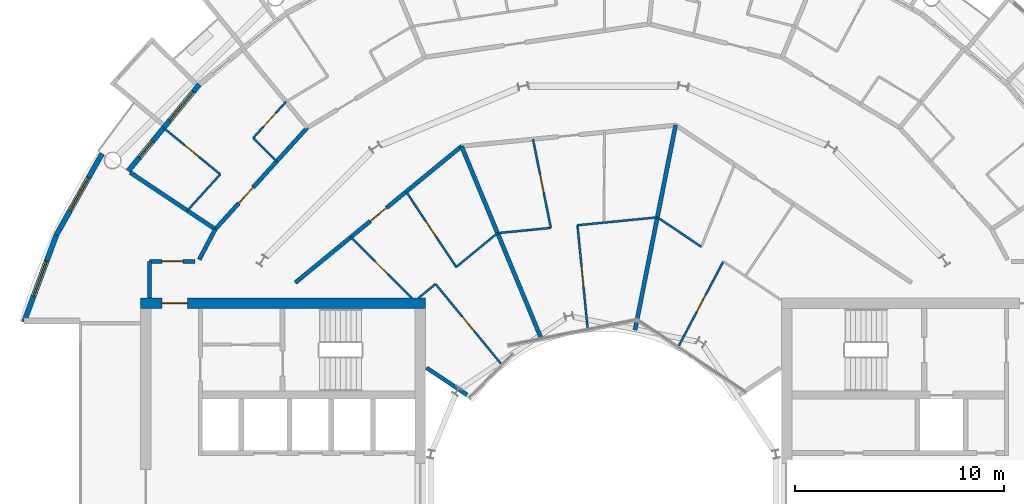
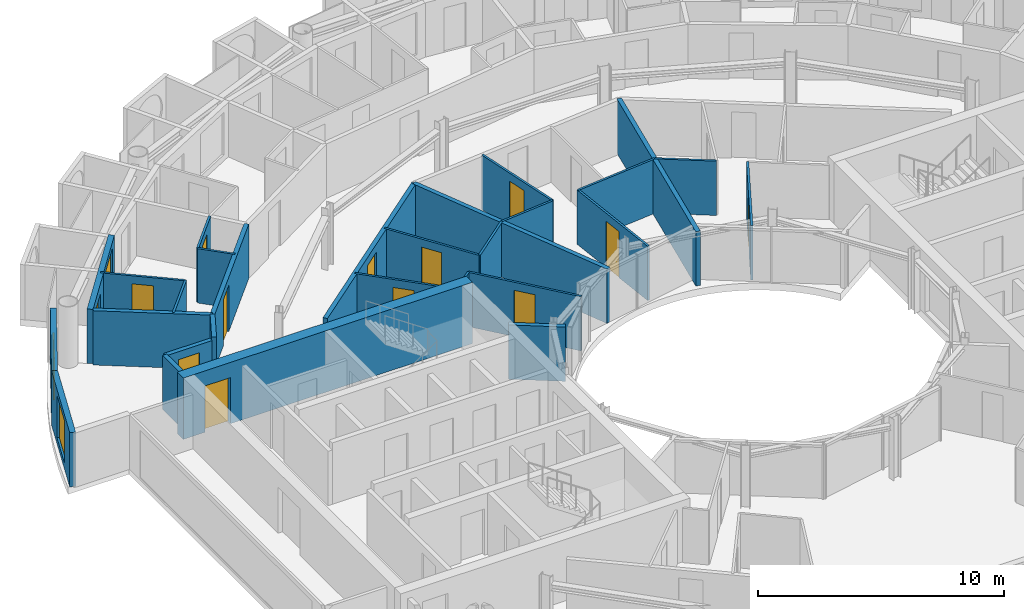
# One storey, part 19 of 27: 28 walls, 13 doors, 3 windows, 16 openings.
"""IFC4 building model written with IfcOpenShell, lengths in metres."""

from ifc_helpers import new_model, si_unit, direction, frame, frame_2d, origin, place, context, subcontext, project, spatial, rectangle, extrude, material, layer, layer_set, type_object, element, fill, save


model = new_model("IFC4")

# Units and contexts
model_context = context("Model", 3, precision=1e-05, world=origin(), true_north=direction((0.0, 1.0)))
body_context = subcontext(model_context, "Body", "Model", "MODEL_VIEW")
ifc_project = project(units=[si_unit("LENGTHUNIT", "METRE"), si_unit("AREAUNIT", "SQUARE_METRE"), si_unit("VOLUMEUNIT", "CUBIC_METRE"), si_unit("PLANEANGLEUNIT", "RADIAN"), si_unit("MASSUNIT", "GRAM", prefix="KILO")], contexts=[model_context])

# Site, building, storey
site_placement = place(None, origin())
site = spatial("IfcSite", under=ifc_project, at=site_placement, CompositionType="ELEMENT")
building_placement = place(site_placement, origin())
building = spatial("IfcBuilding", under=site, at=building_placement, Name="Maasbend Ring Residences", CompositionType="ELEMENT")
storey_placement = place(building_placement, frame((0.0, 0.0, 148.25)))
storey = spatial("IfcBuildingStorey", under=building, at=storey_placement, Name="L42", CompositionType="ELEMENT", Elevation=148.25)

# Wall, opening, door
ifc_material_1 = material(Name="Concrete C60/75", Category="concrete")
ifc_layer_1 = layer(ifc_material_1, 0.5)
ifc_layer_set_1 = layer_set([ifc_layer_1], Name="Concrete C60/75")
wall_type_1 = type_object("IfcWallType", Name="CORE WALL 500 C60/75", PredefinedType="SHEAR", material=ifc_layer_set_1)
wall_1_placement = place(storey_placement, frame((-8.5, 8.85009765625, 0.0), z_axis=(0.0, 0.0, 1.0), x_axis=(-1.0, 0.0, 0.0)))
wall_1 = element("IfcWall", 1, at=wall_1_placement, inside=storey, type_object=wall_type_1, Name="L42 core W wall PS", PredefinedType="SHEAR", context=body_context, shape_type="SweptSolid", body=[
    extrude(rectangle(XDim=13.60009765625, YDim=0.5, at=frame_2d((6.800048828125, 0.0))), origin(), (0.0, 0.0, 1.0), 3.050048828125),
])
opening_1_placement = place(wall_1_placement, frame((11.375, 0.0, 0.0)))
opening_1 = element("IfcOpeningElement", 2, at=opening_1_placement, cuts=wall_1, Name="Opening D-W4216", PredefinedType="OPENING", context=body_context, shape_type="SweptSolid", body=[
    extrude(rectangle(XDim=1.199951171875, YDim=2.300048828125, at=frame_2d((0.60009765625, 1.14990234375))), frame((0.0, 0.260009765625, 0.0), z_axis=(0.0, -1.0, 0.0), x_axis=(1.0, 0.0, 0.0)), (0.0, 0.0, 1.0), 0.52001953125),
])
ifc_material_2 = material(Name="Steel, powder coated", Category="steel")
door_type_1 = type_object("IfcDoorType", Name="CORRIDOR DOOR 1200 X 2300 FD30S", OperationType="NOTDEFINED", PredefinedType="DOOR", material=ifc_material_2)
door_1_placement = place(opening_1_placement, origin())
door_1 = element("IfcDoor", 3, at=door_1_placement, inside=storey, type_object=door_type_1, Name="Corridor door L42", OperationType="SINGLE_SWING_LEFT", OverallHeight=2.300048828125, OverallWidth=1.199951171875, PredefinedType="DOOR", context=body_context, shape_type="SweptSolid", body=[
    extrude(rectangle(XDim=1.199951171875, YDim=2.300048828125, at=frame_2d((0.60009765625, 1.14990234375))), frame((0.0, 0.02490234375, 0.0), z_axis=(0.0, -1.0, 0.0), x_axis=(1.0, 0.0, 0.0)), (0.0, 0.0, 1.0), 0.050048828125),
])
fill(opening_1, door_1)

ifc_material_3 = material(Name="Concrete C30/37", Category="concrete")
ifc_layer_2 = layer(ifc_material_3, 0.199951171875)
ifc_layer_set_2 = layer_set([ifc_layer_2], Name="Concrete C30/37")
wall_type_2 = type_object("IfcWallType", Name="CORRIDOR WALL 200 CONCRETE", PredefinedType="PARTITIONING", material=ifc_layer_set_2)
wall_2_placement = place(storey_placement, frame((-21.675048828125, 10.85009765625, 0.0), z_axis=(0.0, 0.0, 1.0), x_axis=(1.0, 0.0, 0.0)))
wall_2 = element("IfcWall", 4, at=wall_2_placement, inside=storey, type_object=wall_type_2, Name="U-L42-w086", PredefinedType="PARTITIONING", context=body_context, shape_type="SweptSolid", body=[
    extrude(rectangle(XDim=2.171142578125, YDim=0.199951171875, at=frame_2d((1.08544921875, 0.0))), origin(), (0.0, 0.0, 1.0), 2.699951171875),
])
opening_2_placement = place(wall_2_placement, frame((0.5849609375, 0.0, 0.0)))
opening_2 = element("IfcOpeningElement", 5, at=opening_2_placement, cuts=wall_2, Name="Opening D-4260", PredefinedType="OPENING", context=body_context, shape_type="SweptSolid", body=[
    extrude(rectangle(XDim=1.0, YDim=2.300048828125, at=frame_2d((0.5, 1.14990234375))), frame((0.0, 0.10986328125, 0.0), z_axis=(0.0, -1.0, 0.0), x_axis=(1.0, 0.0, 0.0)), (0.0, 0.0, 1.0), 0.219970703125),
])
ifc_material_4 = material(Name="Timber, painted", Category="wood")
door_type_2 = type_object("IfcDoorType", Name="ROOM DOOR 1000 X 2300", OperationType="NOTDEFINED", PredefinedType="DOOR", material=ifc_material_4)
door_2_placement = place(opening_2_placement, origin())
door_2 = element("IfcDoor", 6, at=door_2_placement, inside=storey, type_object=door_type_2, Name="D-4260", OperationType="SINGLE_SWING_LEFT", OverallHeight=2.300048828125, OverallWidth=1.0, PredefinedType="DOOR", context=body_context, shape_type="SweptSolid", body=[
    extrude(rectangle(XDim=1.0, YDim=2.300048828125, at=frame_2d((0.5, 1.14990234375))), frame((0.0, 0.02490234375, 0.0), z_axis=(0.0, -1.0, 0.0), x_axis=(1.0, 0.0, 0.0)), (0.0, 0.0, 1.0), 0.050048828125),
])
fill(opening_2, door_2)

wall_3_placement = place(storey_placement, frame((-14.717041015625, 9.833984375, 0.0), z_axis=(0.0, 0.0, 1.0), x_axis=(0.773034536097, 0.634363938131, 0.0)))
wall_3 = element("IfcWall", 7, at=wall_3_placement, inside=storey, type_object=wall_type_2, Name="U-L42-w095", PredefinedType="PARTITIONING", context=body_context, shape_type="SweptSolid", body=[
    extrude(rectangle(XDim=10.276611328125, YDim=0.199951171875, at=frame_2d((5.13818359375, 0.0))), origin(), (0.0, 0.0, 1.0), 2.699951171875),
])
opening_3_placement = place(wall_3_placement, frame((4.637939453125, 0.0, 0.0)))
opening_3 = element("IfcOpeningElement", 8, at=opening_3_placement, cuts=wall_3, Name="Opening D-4229", PredefinedType="OPENING", context=body_context, shape_type="SweptSolid", body=[
    extrude(rectangle(XDim=1.0, YDim=2.300048828125, at=frame_2d((0.5, 1.14990234375))), frame((0.0, 0.10986328125, 0.0), z_axis=(0.0, -1.0, 0.0), x_axis=(1.0, 0.0, 0.0)), (0.0, 0.0, 1.0), 0.219970703125),
])
ifc_material_5 = material(Name="Timber, fire-rated, painted", Category="wood")
door_type_3 = type_object("IfcDoorType", Name="FLAT ENTRANCE DOOR 1000 X 2300 FIRE-RATED", OperationType="NOTDEFINED", PredefinedType="DOOR", material=ifc_material_5)
door_3_placement = place(opening_3_placement, origin())
door_3 = element("IfcDoor", 9, at=door_3_placement, inside=storey, type_object=door_type_3, Name="D-4229", OperationType="SINGLE_SWING_LEFT", OverallHeight=2.300048828125, OverallWidth=1.0, PredefinedType="DOOR", context=body_context, shape_type="SweptSolid", body=[
    extrude(rectangle(XDim=1.0, YDim=2.300048828125, at=frame_2d((0.5, 1.14990234375))), frame((0.0, 0.02490234375, 0.0), z_axis=(0.0, -1.0, 0.0), x_axis=(1.0, 0.0, 0.0)), (0.0, 0.0, 1.0), 0.050048828125),
])
fill(opening_3, door_3)

# Wall
wall_4_placement = place(storey_placement, frame((-21.675048828125, 9.10009765625, 0.0), z_axis=(0.0, 0.0, 1.0), x_axis=(0.0, 1.0, 0.0)))
element("IfcWall", 10, at=wall_4_placement, inside=storey, type_object=wall_type_2, Name="U-L42-w099", PredefinedType="PARTITIONING", context=body_context, shape_type="SweptSolid", body=[
    extrude(rectangle(XDim=1.75, YDim=0.199951171875, at=frame_2d((0.875, 0.0))), origin(), (0.0, 0.0, 1.0), 2.699951171875),
])

# Wall, opening, door
wall_5_placement = place(storey_placement, frame((-18.5419921875, 12.388916015625, 0.0), z_axis=(0.0, 0.0, 1.0), x_axis=(0.671561669125, 0.740948665268, 0.0)))
wall_5 = element("IfcWall", 11, at=wall_5_placement, inside=storey, type_object=wall_type_2, Name="U-L42-w100", PredefinedType="PARTITIONING", context=body_context, shape_type="SweptSolid", body=[
    extrude(rectangle(XDim=6.54443359375, YDim=0.199951171875, at=frame_2d((3.272216796875, 0.0))), origin(), (0.0, 0.0, 1.0), 2.699951171875),
])
opening_4_placement = place(wall_5_placement, frame((1.681884765625, 0.0, 0.0)))
opening_4 = element("IfcOpeningElement", 12, at=opening_4_placement, cuts=wall_5, Name="Opening D-4218", PredefinedType="OPENING", context=body_context, shape_type="SweptSolid", body=[
    extrude(rectangle(XDim=1.0, YDim=2.300048828125, at=frame_2d((0.5, 1.14990234375))), frame((0.0, 0.10986328125, 0.0), z_axis=(0.0, -1.0, 0.0), x_axis=(1.0, 0.0, 0.0)), (0.0, 0.0, 1.0), 0.219970703125),
])
door_4_placement = place(opening_4_placement, origin())
door_4 = element("IfcDoor", 13, at=door_4_placement, inside=storey, type_object=door_type_3, Name="D-4218", OperationType="SINGLE_SWING_LEFT", OverallHeight=2.300048828125, OverallWidth=1.0, PredefinedType="DOOR", context=body_context, shape_type="SweptSolid", body=[
    extrude(rectangle(XDim=1.0, YDim=2.300048828125, at=frame_2d((0.5, 1.14990234375))), frame((0.0, 0.02490234375, 0.0), z_axis=(0.0, -1.0, 0.0), x_axis=(1.0, 0.0, 0.0)), (0.0, 0.0, 1.0), 0.050048828125),
])
fill(opening_4, door_4)

# Wall
wall_6_placement = place(storey_placement, frame((-19.306884765625, 10.93505859375, 0.0), z_axis=(0.0, 0.0, 1.0), x_axis=(0.465605550524, 0.884992356646, 0.0)))
element("IfcWall", 14, at=wall_6_placement, inside=storey, type_object=wall_type_2, Name="U-L42-w105", PredefinedType="PARTITIONING", context=body_context, shape_type="SweptSolid", body=[
    extrude(rectangle(XDim=1.642822265625, YDim=0.199951171875, at=frame_2d((0.8212890625, 0.0))), origin(), (0.0, 0.0, 1.0), 2.699951171875),
])

# Wall, openings, door, window
ifc_material_6 = material(Name="Aluminium clad insulated panel", Category="aluminium")
ifc_layer_3 = layer(ifc_material_6, 0.25)
ifc_layer_set_3 = layer_set([ifc_layer_3], Name="EW-GL")
wall_type_3 = type_object("IfcWallType", Name="EW-GL", PredefinedType="SOLIDWALL", material=ifc_layer_set_3)
wall_7_placement = place(storey_placement, frame((-19.303955078125, 19.303955078125, 0.0), z_axis=(0.0, 0.0, 1.0), x_axis=(-0.634382322723, -0.773019449054, 0.0)))
wall_7 = element("IfcWall", 15, at=wall_7_placement, inside=storey, type_object=wall_type_3, Name="External wall N10", PredefinedType="SOLIDWALL", context=body_context, shape_type="SweptSolid", body=[
    extrude(rectangle(XDim=5.351806640625, YDim=0.25, at=frame_2d((2.67578125, 0.0))), origin(), (0.0, 0.0, 1.0), 2.699951171875),
])
opening_5_placement = place(wall_7_placement, frame((0.441162109375, 0.0, 0.300048828125)))
opening_5 = element("IfcOpeningElement", 16, at=opening_5_placement, cuts=wall_7, Name="Opening W-BX", PredefinedType="OPENING", context=body_context, shape_type="SweptSolid", body=[
    extrude(rectangle(XDim=1.800048828125, YDim=2.10009765625, at=frame_2d((0.89990234375, 1.050048828125))), frame((0.0, 0.135009765625, 0.0), z_axis=(0.0, -1.0, 0.0), x_axis=(1.0, 0.0, 0.0)), (0.0, 0.0, 1.0), 0.27001953125),
])
opening_6_placement = place(wall_7_placement, frame((3.510498046875, 0.0, 0.0)))
opening_6 = element("IfcOpeningElement", 17, at=opening_6_placement, cuts=wall_7, Name="Opening D-LG", PredefinedType="OPENING", context=body_context, shape_type="SweptSolid", body=[
    extrude(rectangle(XDim=1.0, YDim=2.199951171875, at=frame_2d((0.5, 1.10009765625))), frame((0.0, 0.135009765625, 0.0), z_axis=(0.0, -1.0, 0.0), x_axis=(1.0, 0.0, 0.0)), (0.0, 0.0, 1.0), 0.27001953125),
])
ifc_material_7 = material(Name="Aluminium and clear glass", Category="aluminium")
door_type_4 = type_object("IfcDoorType", Name="D-LG", OperationType="SINGLE_SWING_LEFT", PredefinedType="DOOR", material=ifc_material_7)
door_5_placement = place(opening_6_placement, origin())
door_5 = element("IfcDoor", 18, at=door_5_placement, inside=storey, type_object=door_type_4, Name="Loggia door N20", OperationType="SINGLE_SWING_LEFT", OverallHeight=2.199951171875, OverallWidth=1.0, PredefinedType="DOOR", context=body_context, shape_type="SweptSolid", body=[
    extrude(rectangle(XDim=1.0, YDim=2.199951171875, at=frame_2d((0.5, 1.10009765625))), frame((0.0, 0.02490234375, 0.0), z_axis=(0.0, -1.0, 0.0), x_axis=(1.0, 0.0, 0.0)), (0.0, 0.0, 1.0), 0.050048828125),
])
fill(opening_6, door_5)
ifc_material_8 = material(Name="Aluminium and clear glass", Category="aluminium")
window_type = type_object("IfcWindowType", Name="W-BX", PartitioningType="DOUBLE_PANEL_VERTICAL", PredefinedType="WINDOW", material=ifc_material_8)
window_1_placement = place(opening_5_placement, origin())
window_1 = element("IfcWindow", 19, at=window_1_placement, inside=storey, type_object=window_type, Name="Window N19 room to box", OverallHeight=2.10009765625, OverallWidth=1.800048828125, PartitioningType="SINGLE_PANEL", PredefinedType="WINDOW", context=body_context, shape_type="SweptSolid", body=[
    extrude(rectangle(XDim=1.800048828125, YDim=2.10009765625, at=frame_2d((0.89990234375, 1.050048828125))), frame((0.0, 0.030029296875, 0.0), z_axis=(0.0, -1.0, 0.0), x_axis=(1.0, 0.0, 0.0)), (0.0, 0.0, 1.0), 0.06005859375),
])
fill(opening_5, window_1)

# Wall, opening, window
ifc_material_9 = material(Name="Aluminium clad insulated panel", Category="aluminium")
ifc_layer_4 = layer(ifc_material_9, 0.25)
ifc_layer_set_4 = layer_set([ifc_layer_4], Name="EW-HORN")
wall_type_4 = type_object("IfcWallType", Name="EW-HORN", PredefinedType="SOLIDWALL", material=ifc_layer_set_4)
wall_8_placement = place(storey_placement, frame((-23.946044921875, 16.0, 0.0), z_axis=(0.0, 0.0, 1.0), x_axis=(-0.489696356642, -0.871893042919, 0.0)))
wall_8 = element("IfcWall", 20, at=wall_8_placement, inside=storey, type_object=wall_type_4, Name="Horn wall 4.1", PredefinedType="SOLIDWALL", context=body_context, shape_type="SweptSolid", body=[
    extrude(rectangle(XDim=4.45361328125, YDim=0.25, at=frame_2d((2.226806640625, 0.0))), origin(), (0.0, 0.0, 1.0), 2.699951171875),
])
opening_7_placement = place(wall_8_placement, frame((1.32666015625, 0.0, 0.300048828125)))
opening_7 = element("IfcOpeningElement", 21, at=opening_7_placement, cuts=wall_8, Name="Opening W-BX", PredefinedType="OPENING", context=body_context, shape_type="SweptSolid", body=[
    extrude(rectangle(XDim=1.800048828125, YDim=2.10009765625, at=frame_2d((0.89990234375, 1.050048828125))), frame((0.0, 0.135009765625, 0.0), z_axis=(0.0, -1.0, 0.0), x_axis=(1.0, 0.0, 0.0)), (0.0, 0.0, 1.0), 0.27001953125),
])
window_2_placement = place(opening_7_placement, origin())
window_2 = element("IfcWindow", 22, at=window_2_placement, inside=storey, type_object=window_type, Name="Horn window 4.1", OverallHeight=2.10009765625, OverallWidth=1.800048828125, PartitioningType="SINGLE_PANEL", PredefinedType="WINDOW", context=body_context, shape_type="SweptSolid", body=[
    extrude(rectangle(XDim=1.800048828125, YDim=2.10009765625, at=frame_2d((0.89990234375, 1.050048828125))), frame((0.0, 0.030029296875, 0.0), z_axis=(0.0, -1.0, 0.0), x_axis=(1.0, 0.0, 0.0)), (0.0, 0.0, 1.0), 0.06005859375),
])
fill(opening_7, window_2)

wall_9_placement = place(storey_placement, frame((-26.126953125, 12.116943359375, 0.0), z_axis=(0.0, 0.0, 1.0), x_axis=(-0.349247811493, -0.937030397675, 0.0)))
wall_9 = element("IfcWall", 23, at=wall_9_placement, inside=storey, type_object=wall_type_4, Name="Horn wall 4.2", PredefinedType="SOLIDWALL", context=body_context, shape_type="SweptSolid", body=[
    extrude(rectangle(XDim=4.4521484375, YDim=0.25, at=frame_2d((2.22607421875, 0.0))), origin(), (0.0, 0.0, 1.0), 2.699951171875),
])
opening_8_placement = place(wall_9_placement, frame((1.32666015625, 0.0, 0.300048828125)))
opening_8 = element("IfcOpeningElement", 24, at=opening_8_placement, cuts=wall_9, Name="Opening W-BX", PredefinedType="OPENING", context=body_context, shape_type="SweptSolid", body=[
    extrude(rectangle(XDim=1.800048828125, YDim=2.10009765625, at=frame_2d((0.89990234375, 1.050048828125))), frame((0.0, 0.135009765625, 0.0), z_axis=(0.0, -1.0, 0.0), x_axis=(1.0, 0.0, 0.0)), (0.0, 0.0, 1.0), 0.27001953125),
])
window_3_placement = place(opening_8_placement, origin())
window_3 = element("IfcWindow", 25, at=window_3_placement, inside=storey, type_object=window_type, Name="Horn window 4.2", OverallHeight=2.10009765625, OverallWidth=1.800048828125, PartitioningType="SINGLE_PANEL", PredefinedType="WINDOW", context=body_context, shape_type="SweptSolid", body=[
    extrude(rectangle(XDim=1.800048828125, YDim=2.10009765625, at=frame_2d((0.89990234375, 1.050048828125))), frame((0.0, 0.030029296875, 0.0), z_axis=(0.0, -1.0, 0.0), x_axis=(1.0, 0.0, 0.0)), (0.0, 0.0, 1.0), 0.06005859375),
])
fill(opening_8, window_3)

# Wall, opening, door
ifc_material_10 = material(Name="Gypsum board on steel studs", Category="steel")
ifc_layer_5 = layer(ifc_material_10, 0.10009765625)
ifc_layer_set_5 = layer_set([ifc_layer_5], Name="PARTITION 100 GYPSUM")
wall_type_5 = type_object("IfcWallType", Name="PARTITION 100 GYPSUM", PredefinedType="PARTITIONING", material=ifc_layer_set_5)
wall_10_placement = place(storey_placement, frame((-21.011962890625, 17.23291015625, 0.0), z_axis=(0.0, 0.0, 1.0), x_axis=(0.773165322764, -0.634204528267, 0.0)))
wall_10 = element("IfcWall", 26, at=wall_10_placement, inside=storey, type_object=wall_type_5, Name="U-L42-w033", PredefinedType="PARTITIONING", context=body_context, shape_type="SweptSolid", body=[
    extrude(rectangle(XDim=3.505126953125, YDim=0.10009765625, at=frame_2d((1.75244140625, 0.0))), origin(), (0.0, 0.0, 1.0), 2.699951171875),
])
opening_9_placement = place(wall_10_placement, frame((1.302978515625, 0.0, 0.0)))
opening_9 = element("IfcOpeningElement", 27, at=opening_9_placement, cuts=wall_10, Name="Opening D-4220", PredefinedType="OPENING", context=body_context, shape_type="SweptSolid", body=[
    extrude(rectangle(XDim=0.89990234375, YDim=2.300048828125, at=frame_2d((0.449951171875, 1.14990234375))), frame((0.0, 0.06005859375, 0.0), z_axis=(0.0, -1.0, 0.0), x_axis=(1.0, 0.0, 0.0)), (0.0, 0.0, 1.0), 0.1201171875),
])
ifc_material_11 = material(Name="Timber, painted", Category="wood")
door_type_5 = type_object("IfcDoorType", Name="INTERNAL DOOR 900 X 2300", OperationType="NOTDEFINED", PredefinedType="DOOR", material=ifc_material_11)
door_6_placement = place(opening_9_placement, origin())
door_6 = element("IfcDoor", 28, at=door_6_placement, inside=storey, type_object=door_type_5, Name="D-4220", OperationType="SINGLE_SWING_LEFT", OverallHeight=2.300048828125, OverallWidth=0.89990234375, PredefinedType="DOOR", context=body_context, shape_type="SweptSolid", body=[
    extrude(rectangle(XDim=0.89990234375, YDim=2.300048828125, at=frame_2d((0.449951171875, 1.14990234375))), frame((0.0, 0.02490234375, 0.0), z_axis=(0.0, -1.0, 0.0), x_axis=(1.0, 0.0, 0.0)), (0.0, 0.0, 1.0), 0.050048828125),
])
fill(opening_9, door_6)

# Wall
wall_11_placement = place(storey_placement, frame((-16.73193359375, 16.742919921875, 0.0), z_axis=(0.0, 0.0, 1.0), x_axis=(0.70679853939, -0.707414888673, 0.0)))
element("IfcWall", 29, at=wall_11_placement, inside=storey, type_object=wall_type_5, Name="U-L42-w038", PredefinedType="PARTITIONING", context=body_context, shape_type="SweptSolid", body=[
    extrude(rectangle(XDim=1.58447265625, YDim=0.10009765625, at=frame_2d((0.792236328125, 0.0))), origin(), (0.0, 0.0, 1.0), 2.699951171875),
])

# Wall, opening, door
wall_12_placement = place(storey_placement, frame((-12.069091796875, 12.007080078125, 0.0), z_axis=(0.0, 0.0, 1.0), x_axis=(0.708822693149, -0.705386695138, 0.0)))
wall_12 = element("IfcWall", 30, at=wall_12_placement, inside=storey, type_object=wall_type_5, Name="U-L42-w043", PredefinedType="PARTITIONING", context=body_context, shape_type="SweptSolid", body=[
    extrude(rectangle(XDim=4.12109375, YDim=0.10009765625, at=frame_2d((2.060546875, 0.0))), origin(), (0.0, 0.0, 1.0), 2.699951171875),
])
opening_10_placement = place(wall_12_placement, frame((1.611083984375, 0.0, 0.0)))
opening_10 = element("IfcOpeningElement", 31, at=opening_10_placement, cuts=wall_12, Name="Opening D-4231", PredefinedType="OPENING", context=body_context, shape_type="SweptSolid", body=[
    extrude(rectangle(XDim=0.89990234375, YDim=2.300048828125, at=frame_2d((0.449951171875, 1.14990234375))), frame((0.0, 0.06005859375, 0.0), z_axis=(0.0, -1.0, 0.0), x_axis=(1.0, 0.0, 0.0)), (0.0, 0.0, 1.0), 0.1201171875),
])
door_7_placement = place(opening_10_placement, origin())
door_7 = element("IfcDoor", 32, at=door_7_placement, inside=storey, type_object=door_type_5, Name="D-4231", OperationType="SINGLE_SWING_RIGHT", OverallHeight=2.300048828125, OverallWidth=0.89990234375, PredefinedType="DOOR", context=body_context, shape_type="SweptSolid", body=[
    extrude(rectangle(XDim=0.89990234375, YDim=2.300048828125, at=frame_2d((0.449951171875, 1.14990234375))), frame((0.0, 0.02490234375, 0.0), z_axis=(0.0, -1.0, 0.0), x_axis=(1.0, 0.0, 0.0)), (0.0, 0.0, 1.0), 0.050048828125),
])
fill(opening_10, door_7)

wall_13_placement = place(storey_placement, frame((-9.4208984375, 14.179931640625, 0.0), z_axis=(0.0, 0.0, 1.0), x_axis=(0.553303732327, -0.832979579457, 0.0)))
wall_13 = element("IfcWall", 33, at=wall_13_placement, inside=storey, type_object=wall_type_5, Name="U-L42-w047", PredefinedType="PARTITIONING", context=body_context, shape_type="SweptSolid", body=[
    extrude(rectangle(XDim=4.3193359375, YDim=0.10009765625, at=frame_2d((2.15966796875, 0.0))), origin(), (0.0, 0.0, 1.0), 2.699951171875),
])
opening_11_placement = place(wall_13_placement, frame((1.7099609375, 0.0, 0.0)))
opening_11 = element("IfcOpeningElement", 34, at=opening_11_placement, cuts=wall_13, Name="Opening D-4230", PredefinedType="OPENING", context=body_context, shape_type="SweptSolid", body=[
    extrude(rectangle(XDim=0.89990234375, YDim=2.300048828125, at=frame_2d((0.449951171875, 1.14990234375))), frame((0.0, 0.06005859375, 0.0), z_axis=(0.0, -1.0, 0.0), x_axis=(1.0, 0.0, 0.0)), (0.0, 0.0, 1.0), 0.1201171875),
])
door_8_placement = place(opening_11_placement, origin())
door_8 = element("IfcDoor", 35, at=door_8_placement, inside=storey, type_object=door_type_5, Name="D-4230", OperationType="SINGLE_SWING_RIGHT", OverallHeight=2.300048828125, OverallWidth=0.89990234375, PredefinedType="DOOR", context=body_context, shape_type="SweptSolid", body=[
    extrude(rectangle(XDim=0.89990234375, YDim=2.300048828125, at=frame_2d((0.449951171875, 1.14990234375))), frame((0.0, 0.02490234375, 0.0), z_axis=(0.0, -1.0, 0.0), x_axis=(1.0, 0.0, 0.0)), (0.0, 0.0, 1.0), 0.050048828125),
])
fill(opening_11, door_8)

wall_14_placement = place(storey_placement, frame((-8.01904296875, 9.77099609375, 0.0), z_axis=(0.0, 0.0, 1.0), x_axis=(0.634401778971, -0.773003481776, 0.0)))
wall_14 = element("IfcWall", 36, at=wall_14_placement, inside=storey, type_object=wall_type_5, Name="U-L42-w049", PredefinedType="PARTITIONING", context=body_context, shape_type="SweptSolid", body=[
    extrude(rectangle(XDim=4.919677734375, YDim=0.10009765625, at=frame_2d((2.4599609375, 0.0))), origin(), (0.0, 0.0, 1.0), 2.699951171875),
])
opening_12_placement = place(wall_14_placement, frame((2.010009765625, 0.0, 0.0)))
opening_12 = element("IfcOpeningElement", 37, at=opening_12_placement, cuts=wall_14, Name="Opening D-4232", PredefinedType="OPENING", context=body_context, shape_type="SweptSolid", body=[
    extrude(rectangle(XDim=0.89990234375, YDim=2.300048828125, at=frame_2d((0.449951171875, 1.14990234375))), frame((0.0, 0.06005859375, 0.0), z_axis=(0.0, -1.0, 0.0), x_axis=(1.0, 0.0, 0.0)), (0.0, 0.0, 1.0), 0.1201171875),
])
door_9_placement = place(opening_12_placement, origin())
door_9 = element("IfcDoor", 38, at=door_9_placement, inside=storey, type_object=door_type_5, Name="D-4232", OperationType="SINGLE_SWING_RIGHT", OverallHeight=2.300048828125, OverallWidth=0.89990234375, PredefinedType="DOOR", context=body_context, shape_type="SweptSolid", body=[
    extrude(rectangle(XDim=0.89990234375, YDim=2.300048828125, at=frame_2d((0.449951171875, 1.14990234375))), frame((0.0, 0.02490234375, 0.0), z_axis=(0.0, -1.0, 0.0), x_axis=(1.0, 0.0, 0.0)), (0.0, 0.0, 1.0), 0.050048828125),
])
fill(opening_12, door_9)

wall_15_placement = place(storey_placement, frame((-3.364990234375, 16.68798828125, 0.0), z_axis=(0.0, 0.0, 1.0), x_axis=(0.197724661373, -0.980257597923, 0.0)))
wall_15 = element("IfcWall", 39, at=wall_15_placement, inside=storey, type_object=wall_type_5, Name="U-L42-w054", PredefinedType="PARTITIONING", context=body_context, shape_type="SweptSolid", body=[
    extrude(rectangle(XDim=4.319091796875, YDim=0.10009765625, at=frame_2d((2.15966796875, 0.0))), origin(), (0.0, 0.0, 1.0), 2.699951171875),
])
opening_13_placement = place(wall_15_placement, frame((1.7099609375, 0.0, 0.0)))
opening_13 = element("IfcOpeningElement", 40, at=opening_13_placement, cuts=wall_15, Name="Opening D-4226", PredefinedType="OPENING", context=body_context, shape_type="SweptSolid", body=[
    extrude(rectangle(XDim=0.89990234375, YDim=2.300048828125, at=frame_2d((0.449951171875, 1.14990234375))), frame((0.0, 0.06005859375, 0.0), z_axis=(0.0, -1.0, 0.0), x_axis=(1.0, 0.0, 0.0)), (0.0, 0.0, 1.0), 0.1201171875),
])
door_10_placement = place(opening_13_placement, origin())
door_10 = element("IfcDoor", 41, at=door_10_placement, inside=storey, type_object=door_type_5, Name="D-4226", OperationType="SINGLE_SWING_RIGHT", OverallHeight=2.300048828125, OverallWidth=0.89990234375, PredefinedType="DOOR", context=body_context, shape_type="SweptSolid", body=[
    extrude(rectangle(XDim=0.89990234375, YDim=2.300048828125, at=frame_2d((0.449951171875, 1.14990234375))), frame((0.0, 0.02490234375, 0.0), z_axis=(0.0, -1.0, 0.0), x_axis=(1.0, 0.0, 0.0)), (0.0, 0.0, 1.0), 0.050048828125),
])
fill(opening_13, door_10)

wall_16_placement = place(storey_placement, frame((-1.239013671875, 12.5791015625, 0.0), z_axis=(0.0, 0.0, 1.0), x_axis=(0.097960786067, -0.995190275472, 0.0)))
wall_16 = element("IfcWall", 42, at=wall_16_placement, inside=storey, type_object=wall_type_5, Name="U-L42-w056", PredefinedType="PARTITIONING", context=body_context, shape_type="SweptSolid", body=[
    extrude(rectangle(XDim=4.919677734375, YDim=0.10009765625, at=frame_2d((2.4599609375, 0.0))), origin(), (0.0, 0.0, 1.0), 2.699951171875),
])
opening_14_placement = place(wall_16_placement, frame((2.010009765625, 0.0, 0.0)))
opening_14 = element("IfcOpeningElement", 43, at=opening_14_placement, cuts=wall_16, Name="Opening D-4228", PredefinedType="OPENING", context=body_context, shape_type="SweptSolid", body=[
    extrude(rectangle(XDim=0.89990234375, YDim=2.300048828125, at=frame_2d((0.449951171875, 1.14990234375))), frame((0.0, 0.06005859375, 0.0), z_axis=(0.0, -1.0, 0.0), x_axis=(1.0, 0.0, 0.0)), (0.0, 0.0, 1.0), 0.1201171875),
])
door_11_placement = place(opening_14_placement, origin())
door_11 = element("IfcDoor", 44, at=door_11_placement, inside=storey, type_object=door_type_5, Name="D-4228", OperationType="SINGLE_SWING_LEFT", OverallHeight=2.300048828125, OverallWidth=0.89990234375, PredefinedType="DOOR", context=body_context, shape_type="SweptSolid", body=[
    extrude(rectangle(XDim=0.89990234375, YDim=2.300048828125, at=frame_2d((0.449951171875, 1.14990234375))), frame((0.0, 0.02490234375, 0.0), z_axis=(0.0, -1.0, 0.0), x_axis=(1.0, 0.0, 0.0)), (0.0, 0.0, 1.0), 0.050048828125),
])
fill(opening_14, door_11)

wall_17_placement = place(storey_placement, frame((3.60498046875, 6.826904296875, 0.0), z_axis=(0.0, 0.0, 1.0), x_axis=(0.466962677975, 0.884277025246, 0.0)))
wall_17 = element("IfcWall", 45, at=wall_17_placement, inside=storey, type_object=wall_type_5, Name="U-L42-w062", PredefinedType="PARTITIONING", context=body_context, shape_type="SweptSolid", body=[
    extrude(rectangle(XDim=4.548583984375, YDim=0.10009765625, at=frame_2d((2.2744140625, 0.0))), origin(), (0.0, 0.0, 1.0), 2.699951171875),
])
opening_15_placement = place(wall_17_placement, frame((1.823974609375, 0.0, 0.0)))
opening_15 = element("IfcOpeningElement", 46, at=opening_15_placement, cuts=wall_17, Name="Opening D-4224", PredefinedType="OPENING", context=body_context, shape_type="SweptSolid", body=[
    extrude(rectangle(XDim=0.89990234375, YDim=2.300048828125, at=frame_2d((0.449951171875, 1.14990234375))), frame((0.0, 0.06005859375, 0.0), z_axis=(0.0, -1.0, 0.0), x_axis=(1.0, 0.0, 0.0)), (0.0, 0.0, 1.0), 0.1201171875),
])
door_12_placement = place(opening_15_placement, origin())
door_12 = element("IfcDoor", 47, at=door_12_placement, inside=storey, type_object=door_type_5, Name="D-4224", OperationType="SINGLE_SWING_LEFT", OverallHeight=2.300048828125, OverallWidth=0.89990234375, PredefinedType="DOOR", context=body_context, shape_type="SweptSolid", body=[
    extrude(rectangle(XDim=0.89990234375, YDim=2.300048828125, at=frame_2d((0.449951171875, 1.14990234375))), frame((0.0, 0.02490234375, 0.0), z_axis=(0.0, -1.0, 0.0), x_axis=(1.0, 0.0, 0.0)), (0.0, 0.0, 1.0), 0.050048828125),
])
fill(opening_15, door_12)

# Walls
wall_18_placement = place(storey_placement, frame((2.576904296875, 12.955078125, 0.0), z_axis=(0.0, 0.0, 1.0), x_axis=(0.831440395268, -0.555613956912, 0.0)))
element("IfcWall", 48, at=wall_18_placement, inside=storey, type_object=wall_type_5, Name="U-L42-w088", PredefinedType="PARTITIONING", context=body_context, shape_type="SweptSolid", body=[
    extrude(rectangle(XDim=2.527099609375, YDim=0.10009765625, at=frame_2d((1.263671875, 0.0))), origin(), (0.0, 0.0, 1.0), 2.699951171875),
])
wall_19_placement = place(storey_placement, frame((-8.842041015625, 9.094970703125, 0.0), z_axis=(0.0, 0.0, 1.0), x_axis=(0.772730269942, 0.634734534995, 0.0)))
element("IfcWall", 49, at=wall_19_placement, inside=storey, type_object=wall_type_5, Name="U-L42-w090", PredefinedType="PARTITIONING", context=body_context, shape_type="SweptSolid", body=[
    extrude(rectangle(XDim=1.06494140625, YDim=0.10009765625, at=frame_2d((0.532470703125, 0.0))), origin(), (0.0, 0.0, 1.0), 2.699951171875),
])
wall_20_placement = place(storey_placement, frame((-7.033935546875, 10.580078125, 0.0), z_axis=(0.0, 0.0, 1.0), x_axis=(0.772764723682, 0.634692588449, 0.0)))
element("IfcWall", 50, at=wall_20_placement, inside=storey, type_object=wall_type_5, Name="U-L42-w091", PredefinedType="PARTITIONING", context=body_context, shape_type="SweptSolid", body=[
    extrude(rectangle(XDim=2.556884765625, YDim=0.10009765625, at=frame_2d((1.2783203125, 0.0))), origin(), (0.0, 0.0, 1.0), 2.699951171875),
])
wall_21_placement = place(storey_placement, frame((-5.06494140625, 12.199951171875, 0.0), z_axis=(0.0, 0.0, 1.0), x_axis=(0.995131297413, 0.098558109302, 0.0)))
element("IfcWall", 51, at=wall_21_placement, inside=storey, type_object=wall_type_5, Name="U-L42-w092", PredefinedType="PARTITIONING", context=body_context, shape_type="SweptSolid", body=[
    extrude(rectangle(XDim=2.556396484375, YDim=0.10009765625, at=frame_2d((1.2783203125, 0.0))), origin(), (0.0, 0.0, 1.0), 2.699951171875),
])
wall_22_placement = place(storey_placement, frame((-1.24609375, 12.577880859375, 0.0), z_axis=(0.0, 0.0, 1.0), x_axis=(0.995125670186, 0.098614910314, 0.0)))
element("IfcWall", 52, at=wall_22_placement, inside=storey, type_object=wall_type_5, Name="U-L42-w093", PredefinedType="PARTITIONING", context=body_context, shape_type="SweptSolid", body=[
    extrude(rectangle(XDim=3.8349609375, YDim=0.10009765625, at=frame_2d((1.91748046875, 0.0))), origin(), (0.0, 0.0, 1.0), 2.699951171875),
])
wall_23_placement = place(storey_placement, frame((-19.8720703125, 13.278076171875, 0.0), z_axis=(0.0, 0.0, 1.0), x_axis=(0.671637685376, 0.740879760544, 0.0)))
element("IfcWall", 53, at=wall_23_placement, inside=storey, type_object=wall_type_5, Name="U-L42-w109", PredefinedType="PARTITIONING", context=body_context, shape_type="SweptSolid", body=[
    extrude(rectangle(XDim=2.337646484375, YDim=0.10009765625, at=frame_2d((1.1689453125, 0.0))), origin(), (0.0, 0.0, 1.0), 2.699951171875),
])

# Wall, opening, door
wall_24_placement = place(storey_placement, frame((-16.73193359375, 16.742919921875, 0.0), z_axis=(0.0, 0.0, 1.0), x_axis=(0.671528384412, 0.740978831634, 0.0)))
wall_24 = element("IfcWall", 54, at=wall_24_placement, inside=storey, type_object=wall_type_5, Name="U-L42-w110", PredefinedType="PARTITIONING", context=body_context, shape_type="SweptSolid", body=[
    extrude(rectangle(XDim=2.337646484375, YDim=0.10009765625, at=frame_2d((1.1689453125, 0.0))), origin(), (0.0, 0.0, 1.0), 2.699951171875),
])
opening_16_placement = place(wall_24_placement, frame((0.718994140625, 0.0, 0.0)))
opening_16 = element("IfcOpeningElement", 55, at=opening_16_placement, cuts=wall_24, Name="Opening D-4219", PredefinedType="OPENING", context=body_context, shape_type="SweptSolid", body=[
    extrude(rectangle(XDim=0.89990234375, YDim=2.300048828125, at=frame_2d((0.449951171875, 1.14990234375))), frame((0.0, 0.06005859375, 0.0), z_axis=(0.0, -1.0, 0.0), x_axis=(1.0, 0.0, 0.0)), (0.0, 0.0, 1.0), 0.1201171875),
])
door_13_placement = place(opening_16_placement, origin())
door_13 = element("IfcDoor", 56, at=door_13_placement, inside=storey, type_object=door_type_5, Name="D-4219", OperationType="SINGLE_SWING_LEFT", OverallHeight=2.300048828125, OverallWidth=0.89990234375, PredefinedType="DOOR", context=body_context, shape_type="SweptSolid", body=[
    extrude(rectangle(XDim=0.89990234375, YDim=2.300048828125, at=frame_2d((0.449951171875, 1.14990234375))), frame((0.0, 0.02490234375, 0.0), z_axis=(0.0, -1.0, 0.0), x_axis=(1.0, 0.0, 0.0)), (0.0, 0.0, 1.0), 0.050048828125),
])
fill(opening_16, door_13)

# Walls
ifc_material_12 = material(Name="Concrete C30/37", Category="concrete")
ifc_layer_6 = layer(ifc_material_12, 0.199951171875)
ifc_layer_set_6 = layer_set([ifc_layer_6], Name="Concrete C30/37")
wall_type_6 = type_object("IfcWallType", Name="PARTY WALL 200 CONCRETE", PredefinedType="PARTITIONING", material=ifc_layer_set_6)
wall_25_placement = place(storey_placement, frame((1.509033203125, 7.571044921875, 0.0), z_axis=(0.0, 0.0, 1.0), x_axis=(0.194375258943, 0.980927244351, 0.0)))
element("IfcWall", 57, at=wall_25_placement, inside=storey, type_object=wall_type_6, Name="U-L42-w029", PredefinedType="PARTITIONING", context=body_context, shape_type="SweptSolid", body=[
    extrude(rectangle(XDim=9.98046875, YDim=0.199951171875, at=frame_2d((4.990234375, 0.0))), origin(), (0.0, 0.0, 1.0), 2.699951171875),
])
wall_26_placement = place(storey_placement, frame((-22.594970703125, 15.097900390625, 0.0), z_axis=(0.0, 0.0, 1.0), x_axis=(0.831387096605, -0.55569370664, 0.0)))
element("IfcWall", 58, at=wall_26_placement, inside=storey, type_object=wall_type_6, Name="U-L42-w032", PredefinedType="PARTITIONING", context=body_context, shape_type="SweptSolid", body=[
    extrude(rectangle(XDim=4.875, YDim=0.199951171875, at=frame_2d((2.4375, 0.0))), origin(), (0.0, 0.0, 1.0), 2.699951171875),
])
wall_27_placement = place(storey_placement, frame((-6.77490234375, 16.35205078125, 0.0), z_axis=(0.0, 0.0, 1.0), x_axis=(0.382750767534, -0.923851638496, 0.0)))
element("IfcWall", 59, at=wall_27_placement, inside=storey, type_object=wall_type_6, Name="U-L42-w052", PredefinedType="PARTITIONING", context=body_context, shape_type="SweptSolid", body=[
    extrude(rectangle(XDim=9.97998046875, YDim=0.199951171875, at=frame_2d((4.989990234375, 0.0))), origin(), (0.0, 0.0, 1.0), 2.699951171875),
])
wall_28_placement = place(storey_placement, frame((-6.512939453125, 4.471923828125, 0.0), z_axis=(0.0, 0.0, 1.0), x_axis=(-0.83133816625, 0.555766905579, 0.0)))
element("IfcWall", 60, at=wall_28_placement, inside=storey, type_object=wall_type_6, Name="U-L42-w084", PredefinedType="PARTITIONING", context=body_context, shape_type="SweptSolid", body=[
    extrude(rectangle(XDim=2.322998046875, YDim=0.199951171875, at=frame_2d((1.16162109375, 0.0))), origin(), (0.0, 0.0, 1.0), 2.699951171875),
])

save(model, "model.ifc")
